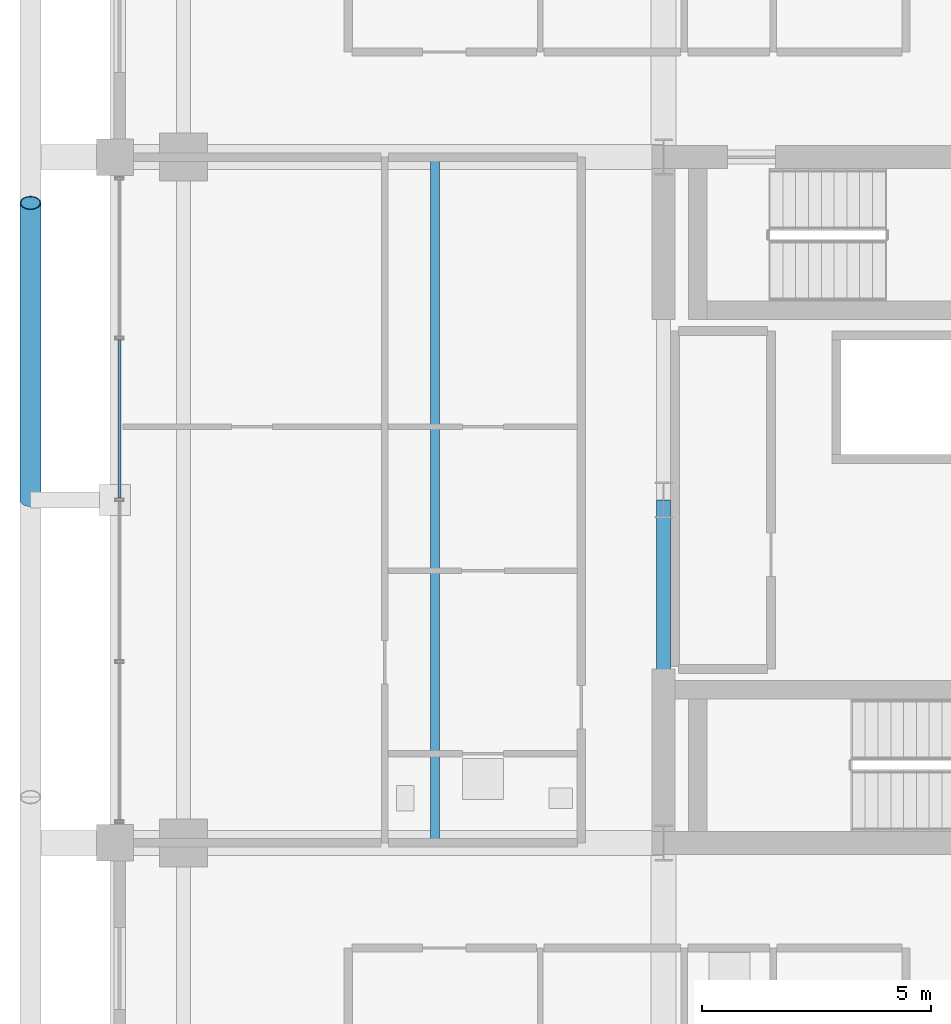
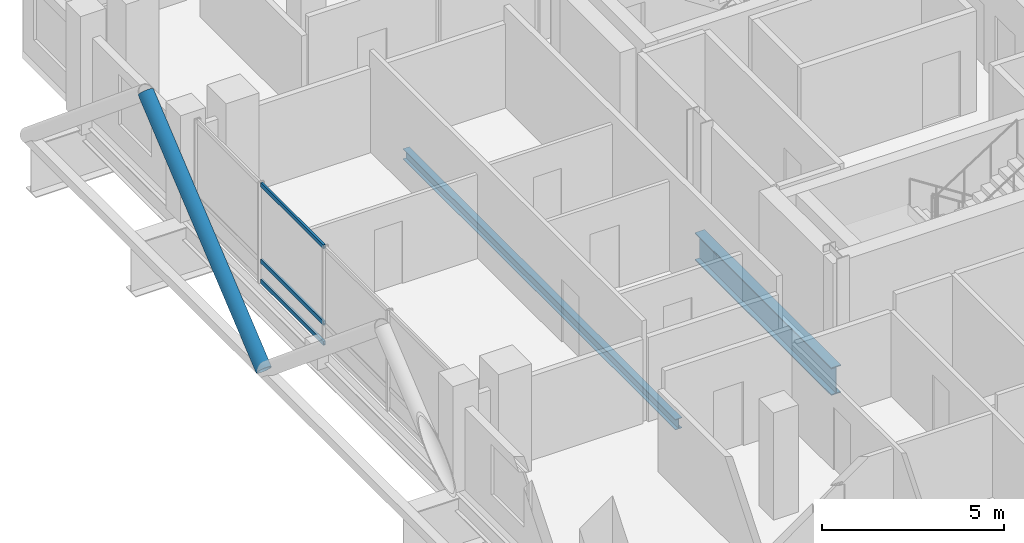
# One storey, part 3 of 23: 4 members, 2 beams, 1 element without a shape of its own.
"""IFC4 building model written with IfcOpenShell, lengths in metres."""

from ifc_helpers import new_model, si_unit, direction, frame, origin, origin_2d, place, context, subcontext, project, spatial, hollow_rectangle, hollow_circle, i_section, extrude, material, layer, layer_set, material_profile, profile_set, type_object, element, aggregate, save


model = new_model("IFC4")

# Units and contexts
model_context = context("Model", 3, precision=1e-05, world=origin(), true_north=direction((0.0, 1.0)))
body_context = subcontext(model_context, "Body", "Model", "MODEL_VIEW")
ifc_project = project(units=[si_unit("LENGTHUNIT", "METRE"), si_unit("AREAUNIT", "SQUARE_METRE"), si_unit("VOLUMEUNIT", "CUBIC_METRE"), si_unit("PLANEANGLEUNIT", "RADIAN"), si_unit("MASSUNIT", "GRAM", prefix="KILO")], contexts=[model_context])

# Site, building, storey
site_placement = place(None, origin())
site = spatial("IfcSite", under=ifc_project, at=site_placement, CompositionType="ELEMENT")
building_placement = place(site_placement, origin())
building = spatial("IfcBuilding", under=site, at=building_placement, Name="Barlavira Tower and Art Museum", CompositionType="ELEMENT")
storey_placement = place(building_placement, frame((0.0, 0.0, 165.60009765625)))
storey = spatial("IfcBuildingStorey", under=building, at=storey_placement, Name="L42", CompositionType="ELEMENT", Elevation=165.60009765625)

# Curtain wall, members
ifc_material_1 = material(Name="Low-iron coastal laminated glass", Category="glass")
ifc_layer = layer(ifc_material_1, 0.199951171875, Name="Low-iron coastal laminated glass")
ifc_layer_set = layer_set([ifc_layer], Name="Low-iron coastal laminated glass")
curtain_wall_type = type_object("IfcCurtainWallType", Name="Pale-Metal Unitised Curtain Wall Zone 3", PredefinedType="NOTDEFINED", material=ifc_layer_set)
curtain_wall_placement = place(storey_placement, origin())
curtain_wall = element("IfcCurtainWall", 1, at=curtain_wall_placement, inside=storey, type_object=curtain_wall_type, Name="L42 Curtain Wall CW3-L42-W-B3", PredefinedType="NOTDEFINED")
ifc_material_2 = material(Name="Pale anodised aluminium", Category="aluminium")
ifc_material_profile_1 = material_profile(ifc_material_2, hollow_rectangle(XDim=0.06494140625, YDim=0.139892578125, WallThickness=0.00390625, at=origin_2d()), Name="ALU-TRAN 65x140x4")
ifc_profile_set_1 = profile_set([ifc_material_profile_1], Name="Pale anodised aluminium")
member_type_1 = type_object("IfcMemberType", Name="Curtain Wall Pale-Metal Transom 65x140", PredefinedType="USERDEFINED", material=ifc_profile_set_1)
member_1_placement = place(storey_placement, frame((-18.39990234375, 3.4951171875, 0.06982421875), z_axis=(0.0, -1.0, 0.0), x_axis=(1.0, 0.0, 0.0)))
member_1 = element("IfcMember", 2, at=member_1_placement, type_object=member_type_1, Name="CW3-L42-W-B3 Transom 1.1", ObjectType="TRANSOM", PredefinedType="USERDEFINED", context=body_context, shape_type="SweptSolid", body=[
    extrude(hollow_rectangle(XDim=0.06494140625, YDim=0.139892578125, WallThickness=0.00390625, at=origin_2d()), origin(), (0.0, 0.0, 1.0), 3.4501953125),
])
member_2_placement = place(storey_placement, frame((-18.39990234375, 3.4951171875, 0.743896484375), z_axis=(0.0, -1.0, 0.0), x_axis=(1.0, 0.0, 0.0)))
member_2 = element("IfcMember", 3, at=member_2_placement, type_object=member_type_1, Name="CW3-L42-W-B3 Transom 1.2", ObjectType="TRANSOM", PredefinedType="USERDEFINED", context=body_context, shape_type="SweptSolid", body=[
    extrude(hollow_rectangle(XDim=0.06494140625, YDim=0.139892578125, WallThickness=0.00390625, at=origin_2d()), origin(), (0.0, 0.0, 1.0), 3.4501953125),
])
member_3_placement = place(storey_placement, frame((-18.39990234375, 3.4951171875, 3.309814453125), z_axis=(0.0, -1.0, 0.0), x_axis=(1.0, 0.0, 0.0)))
member_3 = element("IfcMember", 4, at=member_3_placement, type_object=member_type_1, Name="CW3-L42-W-B3 Transom 1.3", ObjectType="TRANSOM", PredefinedType="USERDEFINED", context=body_context, shape_type="SweptSolid", body=[
    extrude(hollow_rectangle(XDim=0.06494140625, YDim=0.139892578125, WallThickness=0.00390625, at=origin_2d()), origin(), (0.0, 0.0, 1.0), 3.4501953125),
])
aggregate(curtain_wall, [member_1, member_2, member_3])

# Member
ifc_material_3 = material(Name="Steel S355", Category="steel")
ifc_material_profile_2 = material_profile(ifc_material_3, hollow_circle(Radius=0.228515625, WallThickness=0.02001953125, at=origin_2d()), Name="CHS 457.0x20.0")
ifc_profile_set_2 = profile_set([ifc_material_profile_2], Name="Steel S355")
member_type_2 = type_object("IfcMemberType", Name="Pale-Metal Exoskeleton Diagrid Tube CHS 457x20 Steel S355", PredefinedType="BRACE", material=ifc_profile_set_2)
member_4_placement = place(storey_placement, frame((-20.35009765625, 0.0, -0.1201171875), z_axis=(0.0, 0.769196053329, 0.639012857104), x_axis=(-1.0, 0.0, 0.0)))
element("IfcMember", 5, at=member_4_placement, inside=storey, type_object=member_type_2, Name="L42 Exoskeleton Diagrid Tube W", PredefinedType="BRACE", context=body_context, shape_type="SweptSolid", body=[
    extrude(hollow_circle(Radius=0.228515625, WallThickness=0.02001953125, at=origin_2d()), origin(), (0.0, 0.0, 1.0), 8.450439453125),
])

# Beams
ifc_material_profile_3 = material_profile(ifc_material_3, i_section(OverallWidth=0.30908203125, OverallDepth=0.931884765625, WebThickness=0.01953125, FlangeThickness=0.034423828125, at=origin_2d()), Name="W920x313.0")
ifc_profile_set_3 = profile_set([ifc_material_profile_3], Name="Steel S355")
beam_type_1 = type_object("IfcBeamType", Name="Setback Ring Girder W920x313 Steel S355", PredefinedType="BEAM", material=ifc_profile_set_3)
beam_1_placement = place(storey_placement, frame((-6.5, -7.5, -0.76611328125), z_axis=(0.0, 1.0, 0.0), x_axis=(-1.0, 0.0, 0.0)))
element("IfcBeam", 6, at=beam_1_placement, inside=storey, type_object=beam_type_1, Name="L42 Girder C-W1", PredefinedType="BEAM", context=body_context, shape_type="SweptSolid", body=[
    extrude(i_section(OverallWidth=0.30908203125, OverallDepth=0.931884765625, WebThickness=0.01953125, FlangeThickness=0.034423828125, at=origin_2d()), origin(), (0.0, 0.0, 1.0), 7.5),
])
ifc_material_profile_4 = material_profile(ifc_material_3, i_section(OverallWidth=0.205078125, OverallDepth=0.35400390625, WebThickness=0.009521484375, FlangeThickness=0.016845703125, at=origin_2d()), Name="W360x79.0")
ifc_profile_set_4 = profile_set([ifc_material_profile_4], Name="Steel S355")
beam_type_2 = type_object("IfcBeamType", Name="Zone 3 Composite Floor Joist W360x79 Steel S355", PredefinedType="JOIST", material=ifc_profile_set_4)
beam_2_placement = place(storey_placement, frame((-11.5, -7.5, -0.47705078125), z_axis=(0.0, 1.0, 0.0), x_axis=(-1.0, 0.0, 0.0)))
element("IfcBeam", 7, at=beam_2_placement, inside=storey, type_object=beam_type_2, Name="L42 Joist W1", PredefinedType="JOIST", context=body_context, shape_type="SweptSolid", body=[
    extrude(i_section(OverallWidth=0.205078125, OverallDepth=0.35400390625, WebThickness=0.009521484375, FlangeThickness=0.016845703125, at=origin_2d()), origin(), (0.0, 0.0, 1.0), 15.0),
])

save(model, "model.ifc")
